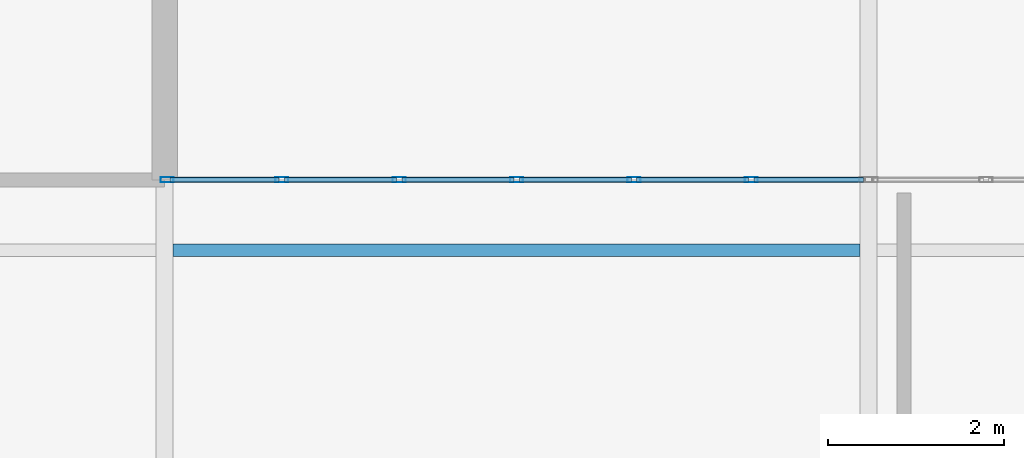
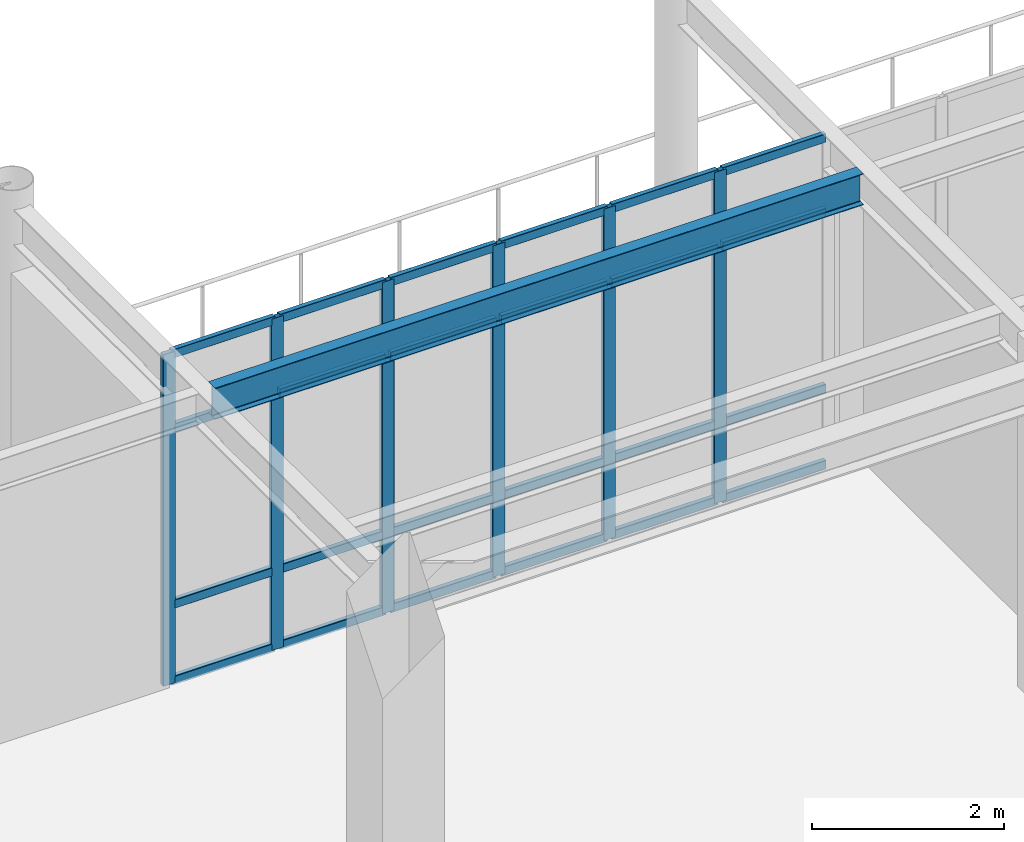
# One storey, part 16 of 75: 30 members, 1 beam, 1 element without a shape of its own.
"""IFC4 building model written with IfcOpenShell, lengths in metres."""

from ifc_helpers import new_model, si_unit, direction, frame, origin, origin_2d, place, context, subcontext, project, spatial, hollow_rectangle, i_section, extrude, material, material_profile, profile_set, type_object, element, aggregate, save


model = new_model("IFC4")

# Units and contexts
model_context = context("Model", 3, precision=1e-05, world=origin(), true_north=direction((0.0, 1.0)))
body_context = subcontext(model_context, "Body", "Model", "MODEL_VIEW")
ifc_project = project(units=[si_unit("LENGTHUNIT", "METRE"), si_unit("AREAUNIT", "SQUARE_METRE"), si_unit("VOLUMEUNIT", "CUBIC_METRE"), si_unit("PLANEANGLEUNIT", "RADIAN"), si_unit("MASSUNIT", "GRAM", prefix="KILO")], contexts=[model_context])

# Site, building, storey
site_placement = place(None, origin())
site = spatial("IfcSite", under=ifc_project, at=site_placement, CompositionType="ELEMENT")
building_placement = place(site_placement, origin())
building = spatial("IfcBuilding", under=site, at=building_placement, Name="Solmirada Galleria", CompositionType="ELEMENT")
storey_placement = place(building_placement, frame((0.0, 0.0, 19.39990234375)))
storey = spatial("IfcBuildingStorey", under=building, at=storey_placement, Name="L04", CompositionType="ELEMENT", Elevation=19.39990234375)

# Beam
ifc_material_1 = material(Name="Steel S355 / ASTM A992 Grade 50", Category="steel")
ifc_material_profile_1 = material_profile(ifc_material_1, i_section(OverallWidth=0.139892578125, OverallDepth=0.39892578125, WebThickness=0.00634765625, FlangeThickness=0.0087890625, FilletRadius=0.010986328125, at=origin_2d()), Name="W16X26")
ifc_profile_set_1 = profile_set([ifc_material_profile_1], Name="Steel S355 / ASTM A992 Grade 50")
beam_type = type_object("IfcBeamType", Name="BM-JST-W16C", PredefinedType="JOIST", material=ifc_profile_set_1)
beam_placement = place(storey_placement, frame((96.096435546875, 28.0, 4.060546875), z_axis=(1.0, 0.0, 0.0), x_axis=(0.0, 1.0, 0.0)))
element("IfcBeam", 1, at=beam_placement, inside=storey, type_object=beam_type, Name="Composite floor joist L05 (96..104, 28.0)", PredefinedType="JOIST", context=body_context, shape_type="SweptSolid", body=[
    extrude(i_section(OverallWidth=0.139892578125, OverallDepth=0.39892578125, WebThickness=0.00634765625, FlangeThickness=0.0087890625, FilletRadius=0.010986328125, at=origin_2d()), origin(), (0.0, 0.0, 1.0), 7.80712890625),
])

# Curtain wall, members
ifc_material_2 = material(Name="Impact-resistant low-E double glazing", Category="glass")
curtain_wall_type = type_object("IfcCurtainWallType", Name="CW-FZ5-L04-B6-L080", PredefinedType="NOTDEFINED", material=ifc_material_2)
curtain_wall_placement = place(storey_placement, origin())
curtain_wall = element("IfcCurtainWall", 2, at=curtain_wall_placement, inside=storey, type_object=curtain_wall_type, Name="Terrace and arcade storefront CW-L04-159", PredefinedType="NOTDEFINED")
ifc_material_3 = material(Name="Anodised aluminium framing", Category="aluminium")
ifc_material_profile_2 = material_profile(ifc_material_3, hollow_rectangle(XDim=0.06005859375, YDim=0.14990234375, WallThickness=0.00341796875, InnerFilletRadius=0.00341796875, OuterFilletRadius=0.007080078125, at=origin_2d()), Name="ALU-MULL-150X60")
ifc_profile_set_2 = profile_set([ifc_material_profile_2], Name="Anodised aluminium framing")
member_type_1 = type_object("IfcMemberType", Name="CW-MULL-150", PredefinedType="MULLION", material=ifc_profile_set_2)
member_1_placement = place(storey_placement, frame((96.030029296875, 28.800048828125, 0.0), z_axis=(0.0, 0.0, 1.0), x_axis=(0.0, 1.0, 0.0)))
member_1 = element("IfcMember", 3, at=member_1_placement, type_object=member_type_1, Name="CW32 mullion 1", PredefinedType="MULLION", context=body_context, shape_type="SweptSolid", body=[
    extrude(hollow_rectangle(XDim=0.06005859375, YDim=0.14990234375, WallThickness=0.00341796875, InnerFilletRadius=0.00341796875, OuterFilletRadius=0.007080078125, at=origin_2d()), origin(), (0.0, 0.0, 1.0), 4.22021484375),
])
member_2_placement = place(storey_placement, frame((97.333251953125, 28.800048828125, 0.0), z_axis=(0.0, 0.0, 1.0), x_axis=(0.0, 1.0, 0.0)))
member_2 = element("IfcMember", 4, at=member_2_placement, type_object=member_type_1, Name="CW32 mullion 2", PredefinedType="MULLION", context=body_context, shape_type="SweptSolid", body=[
    extrude(hollow_rectangle(XDim=0.06005859375, YDim=0.14990234375, WallThickness=0.00341796875, InnerFilletRadius=0.00341796875, OuterFilletRadius=0.007080078125, at=origin_2d()), origin(), (0.0, 0.0, 1.0), 4.22021484375),
])
member_3_placement = place(storey_placement, frame((98.666748046875, 28.800048828125, 0.0), z_axis=(0.0, 0.0, 1.0), x_axis=(0.0, 1.0, 0.0)))
member_3 = element("IfcMember", 5, at=member_3_placement, type_object=member_type_1, Name="CW32 mullion 3", PredefinedType="MULLION", context=body_context, shape_type="SweptSolid", body=[
    extrude(hollow_rectangle(XDim=0.06005859375, YDim=0.14990234375, WallThickness=0.00341796875, InnerFilletRadius=0.00341796875, OuterFilletRadius=0.007080078125, at=origin_2d()), origin(), (0.0, 0.0, 1.0), 4.22021484375),
])
member_4_placement = place(storey_placement, frame((100.0, 28.800048828125, 0.0), z_axis=(0.0, 0.0, 1.0), x_axis=(0.0, 1.0, 0.0)))
member_4 = element("IfcMember", 6, at=member_4_placement, type_object=member_type_1, Name="CW32 mullion 4", PredefinedType="MULLION", context=body_context, shape_type="SweptSolid", body=[
    extrude(hollow_rectangle(XDim=0.06005859375, YDim=0.14990234375, WallThickness=0.00341796875, InnerFilletRadius=0.00341796875, OuterFilletRadius=0.007080078125, at=origin_2d()), origin(), (0.0, 0.0, 1.0), 4.22021484375),
])
member_5_placement = place(storey_placement, frame((101.333251953125, 28.800048828125, 0.0), z_axis=(0.0, 0.0, 1.0), x_axis=(0.0, 1.0, 0.0)))
member_5 = element("IfcMember", 7, at=member_5_placement, type_object=member_type_1, Name="CW32 mullion 5", PredefinedType="MULLION", context=body_context, shape_type="SweptSolid", body=[
    extrude(hollow_rectangle(XDim=0.06005859375, YDim=0.14990234375, WallThickness=0.00341796875, InnerFilletRadius=0.00341796875, OuterFilletRadius=0.007080078125, at=origin_2d()), origin(), (0.0, 0.0, 1.0), 4.22021484375),
])
member_6_placement = place(storey_placement, frame((102.666748046875, 28.800048828125, 0.0), z_axis=(0.0, 0.0, 1.0), x_axis=(0.0, 1.0, 0.0)))
member_6 = element("IfcMember", 8, at=member_6_placement, type_object=member_type_1, Name="CW32 mullion 6", PredefinedType="MULLION", context=body_context, shape_type="SweptSolid", body=[
    extrude(hollow_rectangle(XDim=0.06005859375, YDim=0.14990234375, WallThickness=0.00341796875, InnerFilletRadius=0.00341796875, OuterFilletRadius=0.007080078125, at=origin_2d()), origin(), (0.0, 0.0, 1.0), 4.22021484375),
])
ifc_material_profile_3 = material_profile(ifc_material_3, hollow_rectangle(XDim=0.06005859375, YDim=0.110107421875, WallThickness=0.003173828125, InnerFilletRadius=0.003173828125, OuterFilletRadius=0.00634765625, at=origin_2d()), Name="ALU-TRAN-110X60")
ifc_profile_set_3 = profile_set([ifc_material_profile_3], Name="Anodised aluminium framing")
member_type_2 = type_object("IfcMemberType", Name="CW-TRAN-110", PredefinedType="USERDEFINED", material=ifc_profile_set_3)
member_7_placement = place(storey_placement, frame((96.06005859375, 28.800048828125, 0.030029296875), z_axis=(1.0, 0.0, 0.0), x_axis=(0.0, 1.0, 0.0)))
member_7 = element("IfcMember", 9, at=member_7_placement, type_object=member_type_2, Name="CW32 transom 1.1", ObjectType="TRANSOM", PredefinedType="USERDEFINED", context=body_context, shape_type="SweptSolid", body=[
    extrude(hollow_rectangle(XDim=0.06005859375, YDim=0.110107421875, WallThickness=0.003173828125, InnerFilletRadius=0.003173828125, OuterFilletRadius=0.00634765625, at=origin_2d()), origin(), (0.0, 0.0, 1.0), 1.2431640625),
])
member_8_placement = place(storey_placement, frame((96.06005859375, 28.800048828125, 1.0), z_axis=(1.0, 0.0, 0.0), x_axis=(0.0, 1.0, 0.0)))
member_8 = element("IfcMember", 10, at=member_8_placement, type_object=member_type_2, Name="CW32 transom 1.2", ObjectType="TRANSOM", PredefinedType="USERDEFINED", context=body_context, shape_type="SweptSolid", body=[
    extrude(hollow_rectangle(XDim=0.06005859375, YDim=0.110107421875, WallThickness=0.003173828125, InnerFilletRadius=0.003173828125, OuterFilletRadius=0.00634765625, at=origin_2d()), origin(), (0.0, 0.0, 1.0), 1.2431640625),
])
member_9_placement = place(storey_placement, frame((96.06005859375, 28.800048828125, 3.239990234375), z_axis=(1.0, 0.0, 0.0), x_axis=(0.0, 1.0, 0.0)))
member_9 = element("IfcMember", 11, at=member_9_placement, type_object=member_type_2, Name="CW32 transom 1.3", ObjectType="TRANSOM", PredefinedType="USERDEFINED", context=body_context, shape_type="SweptSolid", body=[
    extrude(hollow_rectangle(XDim=0.06005859375, YDim=0.110107421875, WallThickness=0.003173828125, InnerFilletRadius=0.003173828125, OuterFilletRadius=0.00634765625, at=origin_2d()), origin(), (0.0, 0.0, 1.0), 1.2431640625),
])
member_10_placement = place(storey_placement, frame((96.06005859375, 28.800048828125, 4.190185546875), z_axis=(1.0, 0.0, 0.0), x_axis=(0.0, 1.0, 0.0)))
member_10 = element("IfcMember", 12, at=member_10_placement, type_object=member_type_2, Name="CW32 transom 1.4", ObjectType="TRANSOM", PredefinedType="USERDEFINED", context=body_context, shape_type="SweptSolid", body=[
    extrude(hollow_rectangle(XDim=0.06005859375, YDim=0.110107421875, WallThickness=0.003173828125, InnerFilletRadius=0.003173828125, OuterFilletRadius=0.00634765625, at=origin_2d()), origin(), (0.0, 0.0, 1.0), 1.2431640625),
])
member_11_placement = place(storey_placement, frame((97.36328125, 28.800048828125, 0.030029296875), z_axis=(1.0, 0.0, 0.0), x_axis=(0.0, 1.0, 0.0)))
member_11 = element("IfcMember", 13, at=member_11_placement, type_object=member_type_2, Name="CW32 transom 2.1", ObjectType="TRANSOM", PredefinedType="USERDEFINED", context=body_context, shape_type="SweptSolid", body=[
    extrude(hollow_rectangle(XDim=0.06005859375, YDim=0.110107421875, WallThickness=0.003173828125, InnerFilletRadius=0.003173828125, OuterFilletRadius=0.00634765625, at=origin_2d()), origin(), (0.0, 0.0, 1.0), 1.2734375),
])
member_12_placement = place(storey_placement, frame((97.36328125, 28.800048828125, 1.0), z_axis=(1.0, 0.0, 0.0), x_axis=(0.0, 1.0, 0.0)))
member_12 = element("IfcMember", 14, at=member_12_placement, type_object=member_type_2, Name="CW32 transom 2.2", ObjectType="TRANSOM", PredefinedType="USERDEFINED", context=body_context, shape_type="SweptSolid", body=[
    extrude(hollow_rectangle(XDim=0.06005859375, YDim=0.110107421875, WallThickness=0.003173828125, InnerFilletRadius=0.003173828125, OuterFilletRadius=0.00634765625, at=origin_2d()), origin(), (0.0, 0.0, 1.0), 1.2734375),
])
member_13_placement = place(storey_placement, frame((97.36328125, 28.800048828125, 3.239990234375), z_axis=(1.0, 0.0, 0.0), x_axis=(0.0, 1.0, 0.0)))
member_13 = element("IfcMember", 15, at=member_13_placement, type_object=member_type_2, Name="CW32 transom 2.3", ObjectType="TRANSOM", PredefinedType="USERDEFINED", context=body_context, shape_type="SweptSolid", body=[
    extrude(hollow_rectangle(XDim=0.06005859375, YDim=0.110107421875, WallThickness=0.003173828125, InnerFilletRadius=0.003173828125, OuterFilletRadius=0.00634765625, at=origin_2d()), origin(), (0.0, 0.0, 1.0), 1.2734375),
])
member_14_placement = place(storey_placement, frame((97.36328125, 28.800048828125, 4.190185546875), z_axis=(1.0, 0.0, 0.0), x_axis=(0.0, 1.0, 0.0)))
member_14 = element("IfcMember", 16, at=member_14_placement, type_object=member_type_2, Name="CW32 transom 2.4", ObjectType="TRANSOM", PredefinedType="USERDEFINED", context=body_context, shape_type="SweptSolid", body=[
    extrude(hollow_rectangle(XDim=0.06005859375, YDim=0.110107421875, WallThickness=0.003173828125, InnerFilletRadius=0.003173828125, OuterFilletRadius=0.00634765625, at=origin_2d()), origin(), (0.0, 0.0, 1.0), 1.2734375),
])
member_15_placement = place(storey_placement, frame((98.69677734375, 28.800048828125, 0.030029296875), z_axis=(1.0, 0.0, 0.0), x_axis=(0.0, 1.0, 0.0)))
member_15 = element("IfcMember", 17, at=member_15_placement, type_object=member_type_2, Name="CW32 transom 3.1", ObjectType="TRANSOM", PredefinedType="USERDEFINED", context=body_context, shape_type="SweptSolid", body=[
    extrude(hollow_rectangle(XDim=0.06005859375, YDim=0.110107421875, WallThickness=0.003173828125, InnerFilletRadius=0.003173828125, OuterFilletRadius=0.00634765625, at=origin_2d()), origin(), (0.0, 0.0, 1.0), 1.273193359375),
])
member_16_placement = place(storey_placement, frame((98.69677734375, 28.800048828125, 1.0), z_axis=(1.0, 0.0, 0.0), x_axis=(0.0, 1.0, 0.0)))
member_16 = element("IfcMember", 18, at=member_16_placement, type_object=member_type_2, Name="CW32 transom 3.2", ObjectType="TRANSOM", PredefinedType="USERDEFINED", context=body_context, shape_type="SweptSolid", body=[
    extrude(hollow_rectangle(XDim=0.06005859375, YDim=0.110107421875, WallThickness=0.003173828125, InnerFilletRadius=0.003173828125, OuterFilletRadius=0.00634765625, at=origin_2d()), origin(), (0.0, 0.0, 1.0), 1.273193359375),
])
member_17_placement = place(storey_placement, frame((98.69677734375, 28.800048828125, 3.239990234375), z_axis=(1.0, 0.0, 0.0), x_axis=(0.0, 1.0, 0.0)))
member_17 = element("IfcMember", 19, at=member_17_placement, type_object=member_type_2, Name="CW32 transom 3.3", ObjectType="TRANSOM", PredefinedType="USERDEFINED", context=body_context, shape_type="SweptSolid", body=[
    extrude(hollow_rectangle(XDim=0.06005859375, YDim=0.110107421875, WallThickness=0.003173828125, InnerFilletRadius=0.003173828125, OuterFilletRadius=0.00634765625, at=origin_2d()), origin(), (0.0, 0.0, 1.0), 1.273193359375),
])
member_18_placement = place(storey_placement, frame((98.69677734375, 28.800048828125, 4.190185546875), z_axis=(1.0, 0.0, 0.0), x_axis=(0.0, 1.0, 0.0)))
member_18 = element("IfcMember", 20, at=member_18_placement, type_object=member_type_2, Name="CW32 transom 3.4", ObjectType="TRANSOM", PredefinedType="USERDEFINED", context=body_context, shape_type="SweptSolid", body=[
    extrude(hollow_rectangle(XDim=0.06005859375, YDim=0.110107421875, WallThickness=0.003173828125, InnerFilletRadius=0.003173828125, OuterFilletRadius=0.00634765625, at=origin_2d()), origin(), (0.0, 0.0, 1.0), 1.273193359375),
])
member_19_placement = place(storey_placement, frame((100.030029296875, 28.800048828125, 0.030029296875), z_axis=(1.0, 0.0, 0.0), x_axis=(0.0, 1.0, 0.0)))
member_19 = element("IfcMember", 21, at=member_19_placement, type_object=member_type_2, Name="CW32 transom 4.1", ObjectType="TRANSOM", PredefinedType="USERDEFINED", context=body_context, shape_type="SweptSolid", body=[
    extrude(hollow_rectangle(XDim=0.06005859375, YDim=0.110107421875, WallThickness=0.003173828125, InnerFilletRadius=0.003173828125, OuterFilletRadius=0.00634765625, at=origin_2d()), origin(), (0.0, 0.0, 1.0), 1.273193359375),
])
member_20_placement = place(storey_placement, frame((100.030029296875, 28.800048828125, 1.0), z_axis=(1.0, 0.0, 0.0), x_axis=(0.0, 1.0, 0.0)))
member_20 = element("IfcMember", 22, at=member_20_placement, type_object=member_type_2, Name="CW32 transom 4.2", ObjectType="TRANSOM", PredefinedType="USERDEFINED", context=body_context, shape_type="SweptSolid", body=[
    extrude(hollow_rectangle(XDim=0.06005859375, YDim=0.110107421875, WallThickness=0.003173828125, InnerFilletRadius=0.003173828125, OuterFilletRadius=0.00634765625, at=origin_2d()), origin(), (0.0, 0.0, 1.0), 1.273193359375),
])
member_21_placement = place(storey_placement, frame((100.030029296875, 28.800048828125, 3.239990234375), z_axis=(1.0, 0.0, 0.0), x_axis=(0.0, 1.0, 0.0)))
member_21 = element("IfcMember", 23, at=member_21_placement, type_object=member_type_2, Name="CW32 transom 4.3", ObjectType="TRANSOM", PredefinedType="USERDEFINED", context=body_context, shape_type="SweptSolid", body=[
    extrude(hollow_rectangle(XDim=0.06005859375, YDim=0.110107421875, WallThickness=0.003173828125, InnerFilletRadius=0.003173828125, OuterFilletRadius=0.00634765625, at=origin_2d()), origin(), (0.0, 0.0, 1.0), 1.273193359375),
])
member_22_placement = place(storey_placement, frame((100.030029296875, 28.800048828125, 4.190185546875), z_axis=(1.0, 0.0, 0.0), x_axis=(0.0, 1.0, 0.0)))
member_22 = element("IfcMember", 24, at=member_22_placement, type_object=member_type_2, Name="CW32 transom 4.4", ObjectType="TRANSOM", PredefinedType="USERDEFINED", context=body_context, shape_type="SweptSolid", body=[
    extrude(hollow_rectangle(XDim=0.06005859375, YDim=0.110107421875, WallThickness=0.003173828125, InnerFilletRadius=0.003173828125, OuterFilletRadius=0.00634765625, at=origin_2d()), origin(), (0.0, 0.0, 1.0), 1.273193359375),
])
member_23_placement = place(storey_placement, frame((101.36328125, 28.800048828125, 0.030029296875), z_axis=(1.0, 0.0, 0.0), x_axis=(0.0, 1.0, 0.0)))
member_23 = element("IfcMember", 25, at=member_23_placement, type_object=member_type_2, Name="CW32 transom 5.1", ObjectType="TRANSOM", PredefinedType="USERDEFINED", context=body_context, shape_type="SweptSolid", body=[
    extrude(hollow_rectangle(XDim=0.06005859375, YDim=0.110107421875, WallThickness=0.003173828125, InnerFilletRadius=0.003173828125, OuterFilletRadius=0.00634765625, at=origin_2d()), origin(), (0.0, 0.0, 1.0), 1.2734375),
])
member_24_placement = place(storey_placement, frame((101.36328125, 28.800048828125, 1.0), z_axis=(1.0, 0.0, 0.0), x_axis=(0.0, 1.0, 0.0)))
member_24 = element("IfcMember", 26, at=member_24_placement, type_object=member_type_2, Name="CW32 transom 5.2", ObjectType="TRANSOM", PredefinedType="USERDEFINED", context=body_context, shape_type="SweptSolid", body=[
    extrude(hollow_rectangle(XDim=0.06005859375, YDim=0.110107421875, WallThickness=0.003173828125, InnerFilletRadius=0.003173828125, OuterFilletRadius=0.00634765625, at=origin_2d()), origin(), (0.0, 0.0, 1.0), 1.2734375),
])
member_25_placement = place(storey_placement, frame((101.36328125, 28.800048828125, 3.239990234375), z_axis=(1.0, 0.0, 0.0), x_axis=(0.0, 1.0, 0.0)))
member_25 = element("IfcMember", 27, at=member_25_placement, type_object=member_type_2, Name="CW32 transom 5.3", ObjectType="TRANSOM", PredefinedType="USERDEFINED", context=body_context, shape_type="SweptSolid", body=[
    extrude(hollow_rectangle(XDim=0.06005859375, YDim=0.110107421875, WallThickness=0.003173828125, InnerFilletRadius=0.003173828125, OuterFilletRadius=0.00634765625, at=origin_2d()), origin(), (0.0, 0.0, 1.0), 1.2734375),
])
member_26_placement = place(storey_placement, frame((101.36328125, 28.800048828125, 4.190185546875), z_axis=(1.0, 0.0, 0.0), x_axis=(0.0, 1.0, 0.0)))
member_26 = element("IfcMember", 28, at=member_26_placement, type_object=member_type_2, Name="CW32 transom 5.4", ObjectType="TRANSOM", PredefinedType="USERDEFINED", context=body_context, shape_type="SweptSolid", body=[
    extrude(hollow_rectangle(XDim=0.06005859375, YDim=0.110107421875, WallThickness=0.003173828125, InnerFilletRadius=0.003173828125, OuterFilletRadius=0.00634765625, at=origin_2d()), origin(), (0.0, 0.0, 1.0), 1.2734375),
])
member_27_placement = place(storey_placement, frame((102.69677734375, 28.800048828125, 0.030029296875), z_axis=(1.0, 0.0, 0.0), x_axis=(0.0, 1.0, 0.0)))
member_27 = element("IfcMember", 29, at=member_27_placement, type_object=member_type_2, Name="CW32 transom 6.1", ObjectType="TRANSOM", PredefinedType="USERDEFINED", context=body_context, shape_type="SweptSolid", body=[
    extrude(hollow_rectangle(XDim=0.06005859375, YDim=0.110107421875, WallThickness=0.003173828125, InnerFilletRadius=0.003173828125, OuterFilletRadius=0.00634765625, at=origin_2d()), origin(), (0.0, 0.0, 1.0), 1.2431640625),
])
member_28_placement = place(storey_placement, frame((102.69677734375, 28.800048828125, 1.0), z_axis=(1.0, 0.0, 0.0), x_axis=(0.0, 1.0, 0.0)))
member_28 = element("IfcMember", 30, at=member_28_placement, type_object=member_type_2, Name="CW32 transom 6.2", ObjectType="TRANSOM", PredefinedType="USERDEFINED", context=body_context, shape_type="SweptSolid", body=[
    extrude(hollow_rectangle(XDim=0.06005859375, YDim=0.110107421875, WallThickness=0.003173828125, InnerFilletRadius=0.003173828125, OuterFilletRadius=0.00634765625, at=origin_2d()), origin(), (0.0, 0.0, 1.0), 1.2431640625),
])
member_29_placement = place(storey_placement, frame((102.69677734375, 28.800048828125, 3.239990234375), z_axis=(1.0, 0.0, 0.0), x_axis=(0.0, 1.0, 0.0)))
member_29 = element("IfcMember", 31, at=member_29_placement, type_object=member_type_2, Name="CW32 transom 6.3", ObjectType="TRANSOM", PredefinedType="USERDEFINED", context=body_context, shape_type="SweptSolid", body=[
    extrude(hollow_rectangle(XDim=0.06005859375, YDim=0.110107421875, WallThickness=0.003173828125, InnerFilletRadius=0.003173828125, OuterFilletRadius=0.00634765625, at=origin_2d()), origin(), (0.0, 0.0, 1.0), 1.2431640625),
])
member_30_placement = place(storey_placement, frame((102.69677734375, 28.800048828125, 4.190185546875), z_axis=(1.0, 0.0, 0.0), x_axis=(0.0, 1.0, 0.0)))
member_30 = element("IfcMember", 32, at=member_30_placement, type_object=member_type_2, Name="CW32 transom 6.4", ObjectType="TRANSOM", PredefinedType="USERDEFINED", context=body_context, shape_type="SweptSolid", body=[
    extrude(hollow_rectangle(XDim=0.06005859375, YDim=0.110107421875, WallThickness=0.003173828125, InnerFilletRadius=0.003173828125, OuterFilletRadius=0.00634765625, at=origin_2d()), origin(), (0.0, 0.0, 1.0), 1.2431640625),
])
aggregate(curtain_wall, [member_1, member_2, member_3, member_4, member_5, member_6, member_7, member_8, member_9, member_10, member_11, member_12, member_13, member_14, member_15, member_16, member_17, member_18, member_19, member_20, member_21, member_22, member_23, member_24, member_25, member_26, member_27, member_28, member_29, member_30])

save(model, "model.ifc")
